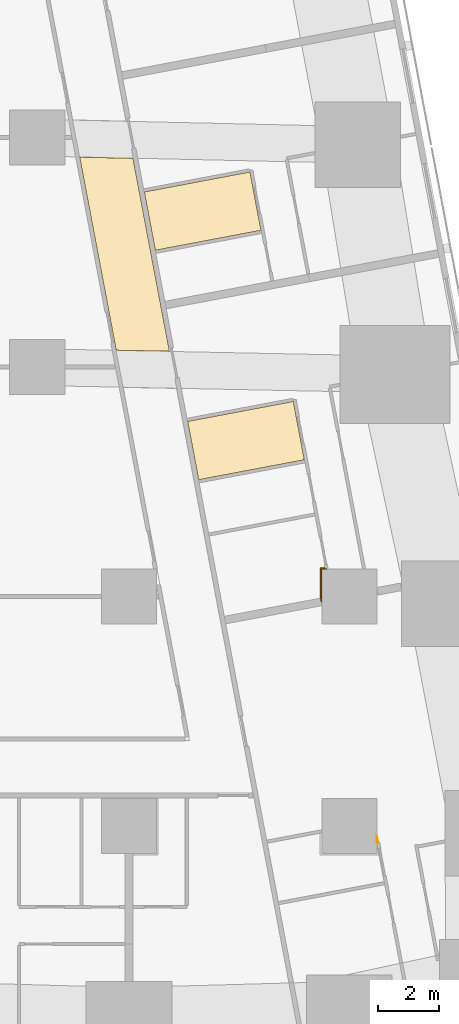
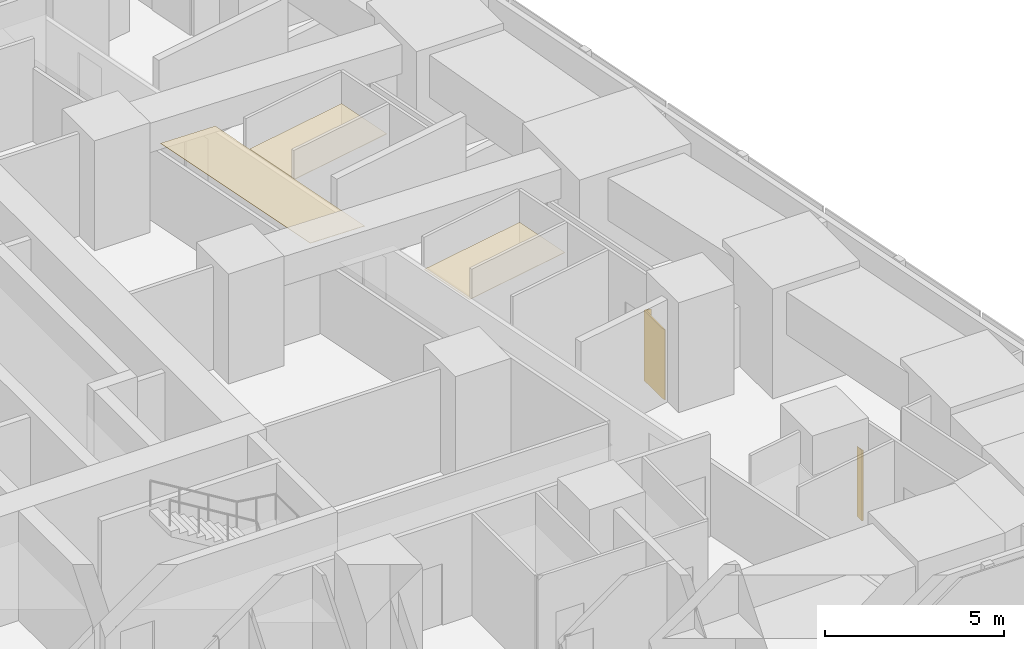
# One storey, part 14 of 15: 5 coverings.
"""IFC4 building model written with IfcOpenShell, lengths in metres."""

from ifc_helpers import new_model, si_unit, direction, frame, origin, place, context, subcontext, project, spatial, polyline, outline, extrude, material, layer, layer_set, type_object, element, save


model = new_model("IFC4")

# Units and contexts
model_context = context("Model", 3, precision=1e-05, world=origin(), true_north=direction((0.0, 1.0)))
body_context = subcontext(model_context, "Body", "Model", "MODEL_VIEW")
ifc_project = project(units=[si_unit("LENGTHUNIT", "METRE"), si_unit("AREAUNIT", "SQUARE_METRE"), si_unit("VOLUMEUNIT", "CUBIC_METRE"), si_unit("PLANEANGLEUNIT", "RADIAN"), si_unit("MASSUNIT", "GRAM", prefix="KILO")], contexts=[model_context])

# Site, building, storey
site_placement = place(None, origin())
site = spatial("IfcSite", under=ifc_project, at=site_placement, CompositionType="ELEMENT")
building_placement = place(site_placement, origin())
building = spatial("IfcBuilding", under=site, at=building_placement, Name="Sheger Commons Tower", CompositionType="ELEMENT")
storey_placement = place(building_placement, frame((0.0, 0.0, 42.5)))
storey = spatial("IfcBuildingStorey", under=building, at=storey_placement, Name="L10", CompositionType="ELEMENT", Elevation=42.5)

# Coverings
ifc_material_1 = material(Name="Moisture-resistant gypsum plasterboard 15 mm on a suspended galvanised steel grid", Category="steel")
ifc_layer_1 = layer(ifc_material_1, 0.014892578125)
ifc_layer_set_1 = layer_set([ifc_layer_1], Name="MOISTURE-RESISTANT CEILING 15")
covering_type_1 = type_object("IfcCoveringType", Name="MOISTURE-RESISTANT CEILING 15", PredefinedType="CEILING", material=ifc_layer_set_1)
covering_1_placement = place(storey_placement, frame((0.0, 0.0, 2.39990234375)))
element("IfcCovering", 1, at=covering_1_placement, inside=storey, type_object=covering_type_1, Name="L10-11.B1 ceiling", PredefinedType="CEILING", context=body_context, shape_type="SweptSolid", body=[
    extrude(outline(polyline([(36.860107421875, 26.319091796875), (40.31298828125, 26.970947265625), (39.952880859375, 28.8779296875), (36.5, 28.22509765625), (36.860107421875, 26.319091796875)])), origin(), (0.0, 0.0, 1.0), 0.01513671875),
])
covering_2_placement = place(storey_placement, frame((0.0, 0.0, 2.39990234375)))
element("IfcCovering", 2, at=covering_2_placement, inside=storey, type_object=covering_type_1, Name="L10-12.B1 ceiling", PredefinedType="CEILING", context=body_context, shape_type="SweptSolid", body=[
    extrude(outline(polyline([(38.277099609375, 18.819091796875), (41.72998046875, 19.470947265625), (41.3701171875, 21.3779296875), (37.9169921875, 20.72607421875), (38.277099609375, 18.819091796875)])), origin(), (0.0, 0.0, 1.0), 0.01513671875),
])
ifc_material_2 = material(Name="Gypsum plasterboard 15 mm on a suspended steel grid", Category="steel")
ifc_layer_2 = layer(ifc_material_2, 0.014892578125)
ifc_layer_set_2 = layer_set([ifc_layer_2], Name="SUSPENDED CEILING 15")
covering_type_2 = type_object("IfcCoveringType", Name="SUSPENDED CEILING 15", PredefinedType="CEILING", material=ifc_layer_set_2)
covering_3_placement = place(storey_placement, frame((0.0, 0.0, 2.699951171875)))
element("IfcCovering", 3, at=covering_3_placement, inside=storey, type_object=covering_type_2, Name="L10-CO ceiling", PredefinedType="CEILING", context=body_context, shape_type="SweptSolid", body=[
    extrude(outline(polyline([(37.321044921875, 23.01806640625), (36.1298828125, 29.323974609375), (34.388916015625, 29.363037109375), (35.5810546875, 23.052978515625), (37.321044921875, 23.01806640625)])), origin(), (0.0, 0.0, 1.0), 0.01513671875),
])
ifc_material_3 = material(Name="Moisture-resistant gypsum board 12.5 mm on 25 mm treated timber battens, tanked and tiled", Category="wood")
ifc_layer_3 = layer(ifc_material_3, 0.050048828125)
ifc_layer_set_3 = layer_set([ifc_layer_3], Name="WET-ROOM COLUMN LINING")
covering_type_3 = type_object("IfcCoveringType", Name="WET-ROOM COLUMN LINING", PredefinedType="CLADDING", material=ifc_layer_set_3)
covering_4_placement = place(storey_placement, origin())
element("IfcCovering", 4, at=covering_4_placement, inside=storey, type_object=covering_type_3, Name="Bathroom column lining C8 L10", PredefinedType="CLADDING", context=body_context, shape_type="SweptSolid", body=[
    extrude(outline(polyline([(44.10009765625, 7.221923828125), (44.14990234375, 6.9599609375), (44.10009765625, 6.950927734375), (44.10009765625, 7.221923828125)])), origin(), (0.0, 0.0, 1.0), 2.39990234375),
])
covering_5_placement = place(storey_placement, origin())
element("IfcCovering", 5, at=covering_5_placement, inside=storey, type_object=covering_type_3, Name="Store and laundry column lining C8 L10", PredefinedType="CLADDING", context=body_context, shape_type="SweptSolid", body=[
    extrude(outline(polyline([(42.40087890625, 15.949951171875), (42.409912109375, 15.90087890625), (42.458984375, 15.909912109375), (42.4609375, 15.89990234375), (42.300048828125, 15.89990234375), (42.300048828125, 14.830078125), (42.27587890625, 14.824951171875), (42.2529296875, 14.947998046875), (42.25, 14.947021484375), (42.25, 15.949951171875), (42.40087890625, 15.949951171875)])), origin(), (0.0, 0.0, 1.0), 2.39990234375),
])

save(model, "model.ifc")
